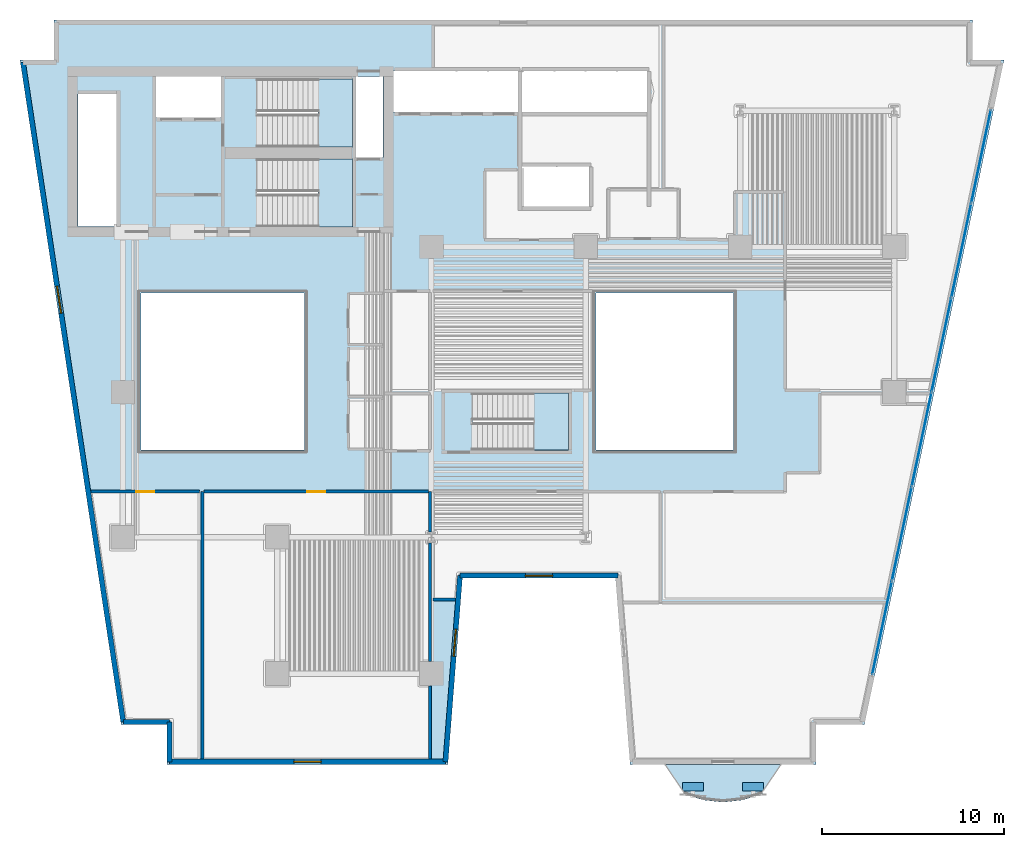
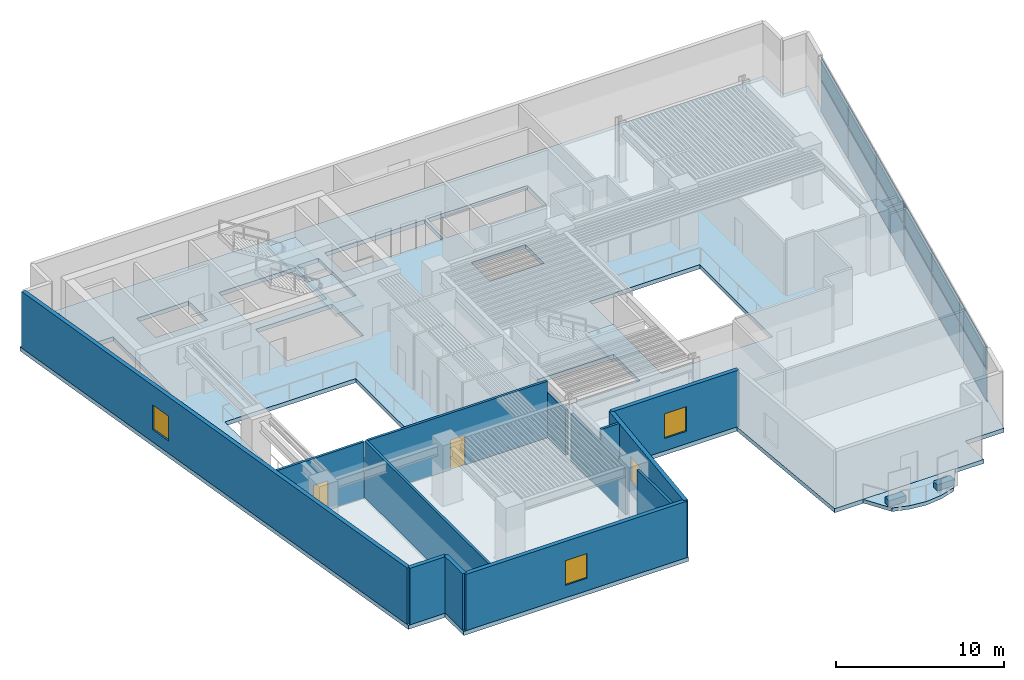
# One storey, part 3 of 11: 14 plates, 13 walls, 5 slabs, 4 windows, 2 doors, 6 openings, 4 elements without a shape of their own.
"""IFC4 building model written with IfcOpenShell, lengths in metres."""

from ifc_helpers import new_model, si_unit, direction, frame, frame_2d, origin, origin_2d, place, context, subcontext, project, spatial, polyline, rectangle, outline, extrude, material, layer, layer_set, type_object, element, fill, aggregate, save


model = new_model("IFC4")

# Units and contexts
model_context = context("Model", 3, precision=1e-05, world=origin(), true_north=direction((0.0, 1.0)))
body_context = subcontext(model_context, "Body", "Model", "MODEL_VIEW")
ifc_project = project(units=[si_unit("LENGTHUNIT", "METRE"), si_unit("AREAUNIT", "SQUARE_METRE"), si_unit("VOLUMEUNIT", "CUBIC_METRE"), si_unit("PLANEANGLEUNIT", "RADIAN"), si_unit("MASSUNIT", "GRAM", prefix="KILO")], contexts=[model_context])

# Site, building, storey
site_placement = place(None, origin())
site = spatial("IfcSite", under=ifc_project, at=site_placement, CompositionType="ELEMENT")
building_placement = place(site_placement, origin())
building = spatial("IfcBuilding", under=site, at=building_placement, Name="Caeloran Harvest Quay", CompositionType="ELEMENT")
storey_placement = place(building_placement, frame((0.0, 0.0, 49.0)))
storey = spatial("IfcBuildingStorey", under=building, at=storey_placement, Name="L11", CompositionType="ELEMENT", Elevation=49.0)

# Slab
ifc_material_1 = material(Name="Concrete C50/60", Category="concrete")
ifc_layer_1 = layer(ifc_material_1, 0.260009765625, Name="Concrete C50/60")
ifc_layer_set_1 = layer_set([ifc_layer_1], Name="Concrete C50/60")
slab_type_1 = type_object("IfcSlabType", Name="BALCONY-BL-260", PredefinedType="FLOOR", material=ifc_layer_set_1)
slab_1_placement = place(storey_placement, frame((0.0, 0.0, -0.260009765625)))
element("IfcSlab", 1, at=slab_1_placement, inside=storey, type_object=slab_type_1, Name="L11 Scalloped Cantilevered Planted Balcony Slab", PredefinedType="FLOOR", context=body_context, shape_type="SweptSolid", body=[
    extrude(outline(polyline([(43.686767578125, 0.849609375), (42.622802734375, 0.527099609375), (41.55859375, 0.408935546875), (40.494384765625, 0.527099609375), (39.43017578125, 0.849609375), (38.378662109375, 2.5), (44.73828125, 2.5), (43.686767578125, 0.849609375)])), origin(), (0.0, 0.0, 1.0), 0.260009765625),
])

# Curtain wall, plates
ifc_material_2 = material(Name="Aluminium 6063-T6 and Low-E Glazing", Category="aluminium")
ifc_layer_2 = layer(ifc_material_2, 0.199951171875, Name="Aluminium 6063-T6 and Low-E Glazing")
ifc_layer_set_2 = layer_set([ifc_layer_2], Name="Aluminium 6063-T6 and Low-E Glazing")
curtain_wall_type = type_object("IfcCurtainWallType", Name="CW-SYS-CW-2", PredefinedType="USERDEFINED", material=ifc_layer_set_2)
curtain_wall_placement = place(storey_placement, origin())
curtain_wall = element("IfcCurtainWall", 2, at=curtain_wall_placement, inside=storey, type_object=curtain_wall_type, Name="L11 Unitised Curtain Wall CW-2 Run 9", ObjectType="CURTAIN_WALL", PredefinedType="USERDEFINED")
ifc_material_3 = material(Name="Low-E Double Glazed Vision Glass Unit", Category="glass")
ifc_layer_3 = layer(ifc_material_3, 0.035888671875, Name="Low-E Double Glazed Vision Glass Unit")
ifc_layer_set_3 = layer_set([ifc_layer_3], Name="Low-E Double Glazed Vision Glass Unit")
plate_type_1 = type_object("IfcPlateType", Name="CW-VISION-PANEL", PredefinedType="CURTAIN_PANEL", material=ifc_layer_set_3)
plate_1_placement = place(storey_placement, frame((55.780029296875, 35.993408203125, 0.080078125), z_axis=(0.0, 0.0, 1.0), x_axis=(-0.205582960081, -0.978639691881, 0.0)))
plate_1 = element("IfcPlate", 3, at=plate_1_placement, type_object=plate_type_1, Name="CW-2 panel 1.1", PredefinedType="CURTAIN_PANEL", context=body_context, shape_type="SweptSolid", body=[
    extrude(rectangle(XDim=5.19873046875, YDim=0.035888671875, at=origin_2d()), origin(), (0.0, 0.0, 1.0), 2.280029296875),
])
plate_2_placement = place(storey_placement, frame((55.780029296875, 35.993408203125, 2.43994140625), z_axis=(0.0, 0.0, 1.0), x_axis=(-0.205582960081, -0.978639691881, 0.0)))
plate_2 = element("IfcPlate", 4, at=plate_2_placement, type_object=plate_type_1, Name="CW-2 panel 1.2", PredefinedType="CURTAIN_PANEL", context=body_context, shape_type="SweptSolid", body=[
    extrude(rectangle(XDim=5.19873046875, YDim=0.035888671875, at=origin_2d()), origin(), (0.0, 0.0, 1.0), 1.580078125),
])
plate_3_placement = place(storey_placement, frame((54.690673828125, 30.807861328125, 0.080078125), z_axis=(0.0, 0.0, 1.0), x_axis=(-0.205582960081, -0.978639691881, 0.0)))
plate_3 = element("IfcPlate", 5, at=plate_3_placement, type_object=plate_type_1, Name="CW-2 panel 2.1", PredefinedType="CURTAIN_PANEL", context=body_context, shape_type="SweptSolid", body=[
    extrude(rectangle(XDim=5.23876953125, YDim=0.035888671875, at=origin_2d()), origin(), (0.0, 0.0, 1.0), 2.280029296875),
])
plate_4_placement = place(storey_placement, frame((54.690673828125, 30.807861328125, 2.43994140625), z_axis=(0.0, 0.0, 1.0), x_axis=(-0.205582960081, -0.978639691881, 0.0)))
plate_4 = element("IfcPlate", 6, at=plate_4_placement, type_object=plate_type_1, Name="CW-2 panel 2.2", PredefinedType="CURTAIN_PANEL", context=body_context, shape_type="SweptSolid", body=[
    extrude(rectangle(XDim=5.23876953125, YDim=0.035888671875, at=origin_2d()), origin(), (0.0, 0.0, 1.0), 1.580078125),
])
plate_5_placement = place(storey_placement, frame((53.59716796875, 25.6025390625, 0.080078125), z_axis=(0.0, 0.0, 1.0), x_axis=(-0.205582960081, -0.978639691881, 0.0)))
plate_5 = element("IfcPlate", 7, at=plate_5_placement, type_object=plate_type_1, Name="CW-2 panel 3.1", PredefinedType="CURTAIN_PANEL", context=body_context, shape_type="SweptSolid", body=[
    extrude(rectangle(XDim=5.23876953125, YDim=0.035888671875, at=origin_2d()), origin(), (0.0, 0.0, 1.0), 2.280029296875),
])
plate_6_placement = place(storey_placement, frame((53.59716796875, 25.6025390625, 2.43994140625), z_axis=(0.0, 0.0, 1.0), x_axis=(-0.205582960081, -0.978639691881, 0.0)))
plate_6 = element("IfcPlate", 8, at=plate_6_placement, type_object=plate_type_1, Name="CW-2 panel 3.2", PredefinedType="CURTAIN_PANEL", context=body_context, shape_type="SweptSolid", body=[
    extrude(rectangle(XDim=5.23876953125, YDim=0.035888671875, at=origin_2d()), origin(), (0.0, 0.0, 1.0), 1.580078125),
])
plate_7_placement = place(storey_placement, frame((52.503662109375, 20.3974609375, 0.080078125), z_axis=(0.0, 0.0, 1.0), x_axis=(-0.205582960081, -0.978639691881, 0.0)))
plate_7 = element("IfcPlate", 9, at=plate_7_placement, type_object=plate_type_1, Name="CW-2 panel 4.1", PredefinedType="CURTAIN_PANEL", context=body_context, shape_type="SweptSolid", body=[
    extrude(rectangle(XDim=5.23876953125, YDim=0.035888671875, at=origin_2d()), origin(), (0.0, 0.0, 1.0), 2.280029296875),
])
plate_8_placement = place(storey_placement, frame((52.503662109375, 20.3974609375, 2.43994140625), z_axis=(0.0, 0.0, 1.0), x_axis=(-0.205582960081, -0.978639691881, 0.0)))
plate_8 = element("IfcPlate", 10, at=plate_8_placement, type_object=plate_type_1, Name="CW-2 panel 4.2", PredefinedType="CURTAIN_PANEL", context=body_context, shape_type="SweptSolid", body=[
    extrude(rectangle(XDim=5.23876953125, YDim=0.035888671875, at=origin_2d()), origin(), (0.0, 0.0, 1.0), 1.580078125),
])
plate_9_placement = place(storey_placement, frame((51.41015625, 15.192138671875, 0.080078125), z_axis=(0.0, 0.0, 1.0), x_axis=(-0.205582960081, -0.978639691881, 0.0)))
plate_9 = element("IfcPlate", 11, at=plate_9_placement, type_object=plate_type_1, Name="CW-2 panel 5.1", PredefinedType="CURTAIN_PANEL", context=body_context, shape_type="SweptSolid", body=[
    extrude(rectangle(XDim=5.23876953125, YDim=0.035888671875, at=origin_2d()), origin(), (0.0, 0.0, 1.0), 2.280029296875),
])
plate_10_placement = place(storey_placement, frame((51.41015625, 15.192138671875, 2.43994140625), z_axis=(0.0, 0.0, 1.0), x_axis=(-0.205582960081, -0.978639691881, 0.0)))
plate_10 = element("IfcPlate", 12, at=plate_10_placement, type_object=plate_type_1, Name="CW-2 panel 5.2", PredefinedType="CURTAIN_PANEL", context=body_context, shape_type="SweptSolid", body=[
    extrude(rectangle(XDim=5.23876953125, YDim=0.035888671875, at=origin_2d()), origin(), (0.0, 0.0, 1.0), 1.580078125),
])
plate_11_placement = place(storey_placement, frame((50.321044921875, 10.006591796875, 0.080078125), z_axis=(0.0, 0.0, 1.0), x_axis=(-0.205582960081, -0.978639691881, 0.0)))
plate_11 = element("IfcPlate", 13, at=plate_11_placement, type_object=plate_type_1, Name="CW-2 panel 6.1", PredefinedType="CURTAIN_PANEL", context=body_context, shape_type="SweptSolid", body=[
    extrude(rectangle(XDim=5.19873046875, YDim=0.035888671875, at=origin_2d()), origin(), (0.0, 0.0, 1.0), 2.280029296875),
])
plate_12_placement = place(storey_placement, frame((50.321044921875, 10.006591796875, 2.43994140625), z_axis=(0.0, 0.0, 1.0), x_axis=(-0.205582960081, -0.978639691881, 0.0)))
plate_12 = element("IfcPlate", 14, at=plate_12_placement, type_object=plate_type_1, Name="CW-2 panel 6.2", PredefinedType="CURTAIN_PANEL", context=body_context, shape_type="SweptSolid", body=[
    extrude(rectangle(XDim=5.19873046875, YDim=0.035888671875, at=origin_2d()), origin(), (0.0, 0.0, 1.0), 1.580078125),
])
aggregate(curtain_wall, [plate_1, plate_2, plate_3, plate_4, plate_5, plate_6, plate_7, plate_8, plate_9, plate_10, plate_11, plate_12])

# Plates
ifc_material_4 = material(Name="Precast concrete C50/60", Category="concrete")
ifc_layer_4 = layer(ifc_material_4, 0.449951171875, Name="Precast concrete C50/60")
ifc_layer_set_4 = layer_set([ifc_layer_4], Name="Precast concrete C50/60")
plate_type_2 = type_object("IfcPlateType", Name="PLANTER-TROUGH-450", PredefinedType="USERDEFINED", material=ifc_layer_set_4)
for number, where, z_axis, x_axis, name in (
    (15, (43.218505859375, 1.2568359375, 0.0), (0.0, 0.0, 1.0), (1.0, 0.0, 0.0), "L11 Balcony Vertical-Greenery Precast PLANTER Trough 1"),
    (16, (39.8984375, 1.2568359375, 0.0), (0.0, 0.0, 1.0), (1.0, 0.0, 0.0), "L11 Balcony Vertical-Greenery Precast PLANTER Trough 2"),
):
    element("IfcPlate", number, at=place(storey_placement, frame(where, z_axis=z_axis, x_axis=x_axis)), inside=storey, type_object=plate_type_2, Name=name, ObjectType="PLANTER", PredefinedType="USERDEFINED", context=body_context, shape_type="SweptSolid", body=[
        extrude(rectangle(XDim=1.14990234375, YDim=0.47998046875, at=origin_2d()), origin(), (0.0, 0.0, 1.0), 0.449951171875),
    ])

# Slab
ifc_layer_5 = layer(ifc_material_1, 0.300048828125, Name="Concrete C50/60")
ifc_layer_set_5 = layer_set([ifc_layer_5], Name="Concrete C50/60")
slab_type_2 = type_object("IfcSlabType", Name="SLAB-FS-300", PredefinedType="FLOOR", material=ifc_layer_set_5)
slab_2_placement = place(storey_placement, frame((0.0, 0.0, -0.300048828125)))
element("IfcSlab", 17, at=slab_2_placement, inside=storey, type_object=slab_type_2, Name="L11 Structural Floor Slab", PredefinedType="FLOOR", context=body_context, shape_type="SweptSolid", body=[
    extrude(outline(polyline([(10.93701171875, 2.5), (26.403076171875, 2.5), (27.202880859375, 12.75), (35.640380859375, 12.75), (36.4404296875, 2.5), (46.68701171875, 2.5), (46.68701171875, 4.699951171875), (49.34912109375, 4.699951171875), (57.037841796875, 41.300048828125), (55.300048828125, 41.300048828125), (55.300048828125, 43.5), (4.699951171875, 43.5), (4.699951171875, 41.300048828125), (2.834716796875, 41.300048828125), (8.40234375, 4.699951171875), (10.93701171875, 4.699951171875), (10.93701171875, 2.5)]), holes=[polyline([(18.5, 19.800048828125), (9.5, 19.800048828125), (9.5, 28.449951171875), (18.5, 28.449951171875), (18.5, 19.800048828125)]), polyline([(15.89990234375, 32.10009765625), (15.89990234375, 35.85009765625), (21.14990234375, 35.85009765625), (21.14990234375, 32.10009765625), (15.89990234375, 32.10009765625)]), polyline([(8.159912109375, 32.1201171875), (6.02001953125, 32.1201171875), (6.02001953125, 39.419921875), (8.159912109375, 39.419921875), (8.159912109375, 32.1201171875)]), polyline([(21.35009765625, 35.919921875), (21.35009765625, 40.3798828125), (22.830078125, 40.3798828125), (22.830078125, 35.919921875), (21.35009765625, 35.919921875)]), polyline([(15.89990234375, 40.25), (21.14990234375, 40.25), (21.14990234375, 36.5), (15.89990234375, 36.5), (15.89990234375, 40.25)]), polyline([(13.89990234375, 38.1201171875), (10.320068359375, 38.1201171875), (10.320068359375, 40.3798828125), (13.89990234375, 40.3798828125), (13.89990234375, 38.1201171875)]), polyline([(27.75, 22.949951171875), (33.050048828125, 22.949951171875), (33.050048828125, 19.800048828125), (27.75, 19.800048828125), (27.75, 22.949951171875)]), polyline([(34.550048828125, 19.800048828125), (34.550048828125, 28.449951171875), (42.14990234375, 28.449951171875), (42.14990234375, 19.800048828125), (34.550048828125, 19.800048828125)]), polyline([(34.199951171875, 33.219970703125), (30.47998046875, 33.219970703125), (30.47998046875, 35.429931640625), (34.199951171875, 35.429931640625), (34.199951171875, 33.219970703125)]), polyline([(23.419921875, 38.419921875), (23.419921875, 40.679931640625), (30.280029296875, 40.679931640625), (30.280029296875, 38.419921875), (23.419921875, 38.419921875)]), polyline([(30.47998046875, 38.419921875), (30.47998046875, 40.679931640625), (37.3798828125, 40.679931640625), (37.3798828125, 38.419921875), (30.47998046875, 38.419921875)])]), origin(), (0.0, 0.0, 1.0), 0.300048828125),
])

# Stair, slab
stair_type_1 = type_object("IfcStairType", Name="STAIR-STC-180", PredefinedType="HALF_TURN_STAIR", material=ifc_material_1)
stair_1_placement = place(storey_placement, origin())
stair_1 = element("IfcStair", 18, at=stair_1_placement, inside=storey, type_object=stair_type_1, Name="L11 Core Pressurized Exit Stair ST-C1", PredefinedType="HALF_TURN_STAIR")
ifc_layer_6 = layer(ifc_material_1, 0.219970703125, Name="Concrete C50/60")
ifc_layer_set_6 = layer_set([ifc_layer_6], Name="Concrete C50/60")
slab_type_3 = type_object("IfcSlabType", Name="STAIR-LANDING-220", PredefinedType="LANDING", material=ifc_layer_set_6)
slab_3_placement = place(storey_placement, frame((0.0, 0.0, 2.0)))
slab_3 = element("IfcSlab", 19, at=slab_3_placement, type_object=slab_type_3, Name="ST-C1 landing 1", PredefinedType="LANDING", context=body_context, shape_type="SweptSolid", body=[
    extrude(outline(polyline([(19.260009765625, 36.5), (21.14990234375, 36.5), (21.14990234375, 40.25), (19.260009765625, 40.25), (19.260009765625, 36.5)])), origin(), (0.0, 0.0, 1.0), 0.199951171875),
])
aggregate(stair_1, [slab_3])

stair_2_placement = place(storey_placement, origin())
stair_2 = element("IfcStair", 20, at=stair_2_placement, inside=storey, type_object=stair_type_1, Name="L11 Core Pressurized Exit Stair ST-C2", PredefinedType="HALF_TURN_STAIR")
slab_4_placement = place(storey_placement, frame((0.0, 0.0, 2.0)))
slab_4 = element("IfcSlab", 21, at=slab_4_placement, type_object=slab_type_3, Name="ST-C2 landing 1", PredefinedType="LANDING", context=body_context, shape_type="SweptSolid", body=[
    extrude(outline(polyline([(19.260009765625, 32.10009765625), (21.14990234375, 32.10009765625), (21.14990234375, 35.85009765625), (19.260009765625, 35.85009765625), (19.260009765625, 32.10009765625)])), origin(), (0.0, 0.0, 1.0), 0.199951171875),
])
aggregate(stair_2, [slab_4])

stair_type_2 = type_object("IfcStairType", Name="STAIR-STW-150", PredefinedType="HALF_TURN_STAIR", material=ifc_material_1)
stair_3_placement = place(storey_placement, origin())
stair_3 = element("IfcStair", 22, at=stair_3_placement, inside=storey, type_object=stair_type_2, Name="L11 East Wing Protected Exit Stair ST-W1", PredefinedType="HALF_TURN_STAIR")
slab_5_placement = place(storey_placement, frame((0.0, 0.0, 2.0)))
slab_5 = element("IfcSlab", 23, at=slab_5_placement, type_object=slab_type_3, Name="ST-W1 landing 1", PredefinedType="LANDING", context=body_context, shape_type="SweptSolid", body=[
    extrude(outline(polyline([(31.110107421875, 19.800048828125), (33.050048828125, 19.800048828125), (33.050048828125, 22.949951171875), (31.110107421875, 22.949951171875), (31.110107421875, 19.800048828125)])), origin(), (0.0, 0.0, 1.0), 0.199951171875),
])
aggregate(stair_3, [slab_5])

# Walls
ifc_layer_7 = layer(ifc_material_4, 0.280029296875, Name="Precast concrete C50/60")
ifc_layer_set_7 = layer_set([ifc_layer_7], Name="Precast concrete C50/60")
wall_type_1 = type_object("IfcWallType", Name="ENV-WALL-EW-280", PredefinedType="STANDARD", material=ifc_layer_set_7)
wall_1_placement = place(storey_placement, frame((11.076904296875, 2.639892578125, 0.0), z_axis=(0.0, 0.0, 1.0), x_axis=(0.0, 1.0, 0.0)))
element("IfcWall", 24, at=wall_1_placement, inside=storey, type_object=wall_type_1, Name="L11 Exterior Precast Concrete Facade Wall 1", PredefinedType="STANDARD", context=body_context, shape_type="SweptSolid", body=[
    extrude(rectangle(XDim=2.2001953125, YDim=0.280029296875, at=frame_2d((1.10009765625, 0.0))), origin(), (0.0, 0.0, 1.0), 4.10009765625),
])
wall_2_placement = place(storey_placement, frame((11.076904296875, 4.840087890625, 0.0), z_axis=(0.0, 0.0, 1.0), x_axis=(-1.0, 0.0, 0.0)))
element("IfcWall", 25, at=wall_2_placement, inside=storey, type_object=wall_type_1, Name="L11 Exterior Precast Concrete Facade Wall 2", PredefinedType="STANDARD", context=body_context, shape_type="SweptSolid", body=[
    extrude(rectangle(XDim=2.55419921875, YDim=0.280029296875, at=frame_2d((1.277099609375, 0.0))), origin(), (0.0, 0.0, 1.0), 4.10009765625),
])

# Wall, opening, window
wall_3_placement = place(storey_placement, frame((8.522705078125, 4.840087890625, 0.0), z_axis=(0.0, 0.0, 1.0), x_axis=(-0.150394554312, 0.988626055712, 0.0)))
wall_3 = element("IfcWall", 26, at=wall_3_placement, inside=storey, type_object=wall_type_1, Name="L11 Exterior Precast Concrete Facade Wall 3", PredefinedType="STANDARD", context=body_context, shape_type="SweptSolid", body=[
    extrude(rectangle(XDim=36.73779296875, YDim=0.280029296875, at=frame_2d((18.368896484375, 0.0))), origin(), (0.0, 0.0, 1.0), 4.10009765625),
])
opening_1_placement = place(wall_3_placement, frame((22.761962890625, 0.0, 0.89990234375)))
opening_1 = element("IfcOpeningElement", 27, at=opening_1_placement, cuts=wall_3, Name="Opening W-03", PredefinedType="OPENING", context=body_context, shape_type="SweptSolid", body=[
    extrude(rectangle(XDim=1.5, YDim=1.800048828125, at=frame_2d((0.75, 0.89990234375))), frame((0.0, 0.14990234375, 0.0), z_axis=(0.0, -1.0, 0.0), x_axis=(1.0, 0.0, 0.0)), (0.0, 0.0, 1.0), 0.300048828125),
])
ifc_material_5 = material(Name="Aluminium-Framed Low-E Laminated Glass", Category="aluminium")
window_type = type_object("IfcWindowType", Name="WIN-W-03", PartitioningType="SINGLE_PANEL", PredefinedType="WINDOW", material=ifc_material_5)
window_1_placement = place(opening_1_placement, origin())
window_1 = element("IfcWindow", 28, at=window_1_placement, inside=storey, type_object=window_type, Name="L11 Facade Punched Window W-03", OverallHeight=1.800048828125, OverallWidth=1.5, PartitioningType="SINGLE_PANEL", PredefinedType="WINDOW", context=body_context, shape_type="SweptSolid", body=[
    extrude(rectangle(XDim=1.5, YDim=1.800048828125, at=frame_2d((0.75, 0.89990234375))), frame((0.0, 0.030029296875, 0.0), z_axis=(0.0, -1.0, 0.0), x_axis=(1.0, 0.0, 0.0)), (0.0, 0.0, 1.0), 0.06005859375),
])
fill(opening_1, window_1)

wall_4_placement = place(storey_placement, frame((35.77001953125, 12.889892578125, 0.0), z_axis=(0.0, 0.0, 1.0), x_axis=(-1.0, 0.0, 0.0)))
wall_4 = element("IfcWall", 29, at=wall_4_placement, inside=storey, type_object=wall_type_1, Name="L11 Exterior Precast Concrete Facade Wall 14", PredefinedType="STANDARD", context=body_context, shape_type="SweptSolid", body=[
    extrude(rectangle(XDim=8.696533203125, YDim=0.280029296875, at=frame_2d((4.34814453125, 0.0))), origin(), (0.0, 0.0, 1.0), 4.10009765625),
])
opening_2_placement = place(wall_4_placement, frame((3.597900390625, 0.0, 0.89990234375)))
opening_2 = element("IfcOpeningElement", 30, at=opening_2_placement, cuts=wall_4, Name="Opening W-03", PredefinedType="OPENING", context=body_context, shape_type="SweptSolid", body=[
    extrude(rectangle(XDim=1.5, YDim=1.800048828125, at=frame_2d((0.75, 0.89990234375))), frame((0.0, 0.14990234375, 0.0), z_axis=(0.0, -1.0, 0.0), x_axis=(1.0, 0.0, 0.0)), (0.0, 0.0, 1.0), 0.300048828125),
])
window_2_placement = place(opening_2_placement, origin())
window_2 = element("IfcWindow", 31, at=window_2_placement, inside=storey, type_object=window_type, Name="L11 Facade Punched Window W-03", OverallHeight=1.800048828125, OverallWidth=1.5, PartitioningType="SINGLE_PANEL", PredefinedType="WINDOW", context=body_context, shape_type="SweptSolid", body=[
    extrude(rectangle(XDim=1.5, YDim=1.800048828125, at=frame_2d((0.75, 0.89990234375))), frame((0.0, 0.030029296875, 0.0), z_axis=(0.0, -1.0, 0.0), x_axis=(1.0, 0.0, 0.0)), (0.0, 0.0, 1.0), 0.06005859375),
])
fill(opening_2, window_2)

wall_5_placement = place(storey_placement, frame((27.073486328125, 12.889892578125, 0.0), z_axis=(0.0, 0.0, 1.0), x_axis=(-0.077816860153, -0.996967670627, 0.0)))
wall_5 = element("IfcWall", 32, at=wall_5_placement, inside=storey, type_object=wall_type_1, Name="L11 Exterior Precast Concrete Facade Wall 15", PredefinedType="STANDARD", context=body_context, shape_type="SweptSolid", body=[
    extrude(rectangle(XDim=10.28125, YDim=0.280029296875, at=frame_2d((5.140625, 0.0))), origin(), (0.0, 0.0, 1.0), 4.10009765625),
])
opening_3_placement = place(wall_5_placement, frame((2.950927734375, 0.0, 0.89990234375)))
opening_3 = element("IfcOpeningElement", 33, at=opening_3_placement, cuts=wall_5, Name="Opening W-03", PredefinedType="OPENING", context=body_context, shape_type="SweptSolid", body=[
    extrude(rectangle(XDim=1.5, YDim=1.800048828125, at=frame_2d((0.75, 0.89990234375))), frame((0.0, 0.14990234375, 0.0), z_axis=(0.0, -1.0, 0.0), x_axis=(1.0, 0.0, 0.0)), (0.0, 0.0, 1.0), 0.300048828125),
])
window_3_placement = place(opening_3_placement, origin())
window_3 = element("IfcWindow", 34, at=window_3_placement, inside=storey, type_object=window_type, Name="L11 Facade Punched Window W-03", OverallHeight=1.800048828125, OverallWidth=1.5, PartitioningType="SINGLE_PANEL", PredefinedType="WINDOW", context=body_context, shape_type="SweptSolid", body=[
    extrude(rectangle(XDim=1.5, YDim=1.800048828125, at=frame_2d((0.75, 0.89990234375))), frame((0.0, 0.030029296875, 0.0), z_axis=(0.0, -1.0, 0.0), x_axis=(1.0, 0.0, 0.0)), (0.0, 0.0, 1.0), 0.06005859375),
])
fill(opening_3, window_3)

wall_6_placement = place(storey_placement, frame((26.2734375, 2.639892578125, 0.0), z_axis=(0.0, 0.0, 1.0), x_axis=(-1.0, 0.0, 0.0)))
wall_6 = element("IfcWall", 35, at=wall_6_placement, inside=storey, type_object=wall_type_1, Name="L11 Exterior Precast Concrete Facade Wall 16", PredefinedType="STANDARD", context=body_context, shape_type="SweptSolid", body=[
    extrude(rectangle(XDim=15.196533203125, YDim=0.280029296875, at=frame_2d((7.59814453125, 0.0))), origin(), (0.0, 0.0, 1.0), 4.10009765625),
])
opening_4_placement = place(wall_6_placement, frame((6.847900390625, 0.0, 0.89990234375)))
opening_4 = element("IfcOpeningElement", 36, at=opening_4_placement, cuts=wall_6, Name="Opening W-03", PredefinedType="OPENING", context=body_context, shape_type="SweptSolid", body=[
    extrude(rectangle(XDim=1.5, YDim=1.800048828125, at=frame_2d((0.75, 0.89990234375))), frame((0.0, 0.14990234375, 0.0), z_axis=(0.0, -1.0, 0.0), x_axis=(1.0, 0.0, 0.0)), (0.0, 0.0, 1.0), 0.300048828125),
])
window_4_placement = place(opening_4_placement, origin())
window_4 = element("IfcWindow", 37, at=window_4_placement, inside=storey, type_object=window_type, Name="L11 Facade Punched Window W-03", OverallHeight=1.800048828125, OverallWidth=1.5, PartitioningType="SINGLE_PANEL", PredefinedType="WINDOW", context=body_context, shape_type="SweptSolid", body=[
    extrude(rectangle(XDim=1.5, YDim=1.800048828125, at=frame_2d((0.75, 0.89990234375))), frame((0.0, 0.030029296875, 0.0), z_axis=(0.0, -1.0, 0.0), x_axis=(1.0, 0.0, 0.0)), (0.0, 0.0, 1.0), 0.06005859375),
])
fill(opening_4, window_4)

# Walls
ifc_material_6 = material(Name="Autoclaved Aerated Concrete Blockwork", Category="masonry")
ifc_layer_8 = layer(ifc_material_6, 0.1650390625, Name="Autoclaved Aerated Concrete Blockwork")
ifc_layer_set_8 = layer_set([ifc_layer_8], Name="Autoclaved Aerated Concrete Blockwork")
wall_type_2 = type_object("IfcWallType", Name="INT-WALL-PW-165", PredefinedType="PARTITIONING", material=ifc_layer_set_8)
wall_7_placement = place(storey_placement, frame((25.419921875, 17.52001953125, 0.0), z_axis=(0.0, 0.0, 1.0), x_axis=(0.0, -1.0, 0.0)))
element("IfcWall", 38, at=wall_7_placement, inside=storey, type_object=wall_type_2, Name="Saffron and Herb Vertical Growing Room Partition Wall", PredefinedType="PARTITIONING", context=body_context, shape_type="SweptSolid", body=[
    extrude(rectangle(XDim=2.21044921875, YDim=0.1650390625, at=frame_2d((1.105224609375, 0.0))), origin(), (0.0, 0.0, 1.0), 3.284912109375),
])
wall_8_placement = place(storey_placement, frame((25.419921875, 14.6904296875, 0.0), z_axis=(0.0, 0.0, 1.0), x_axis=(0.0, -1.0, 0.0)))
element("IfcWall", 39, at=wall_8_placement, inside=storey, type_object=wall_type_2, Name="Saffron and Herb Vertical Growing Room Partition Wall", PredefinedType="PARTITIONING", context=body_context, shape_type="SweptSolid", body=[
    extrude(rectangle(XDim=6.515380859375, YDim=0.1650390625, at=frame_2d((3.2578125, 0.0))), origin(), (0.0, 0.0, 1.0), 3.385009765625),
])
wall_9_placement = place(storey_placement, frame((25.419921875, 6.824951171875, 0.0), z_axis=(0.0, 0.0, 1.0), x_axis=(0.0, -1.0, 0.0)))
element("IfcWall", 40, at=wall_9_placement, inside=storey, type_object=wall_type_2, Name="Saffron and Herb Vertical Growing Room Partition Wall", PredefinedType="PARTITIONING", context=body_context, shape_type="SweptSolid", body=[
    extrude(rectangle(XDim=4.0400390625, YDim=0.1650390625, at=frame_2d((2.02001953125, 0.0))), origin(), (0.0, 0.0, 1.0), 4.10009765625),
])
wall_10_placement = place(storey_placement, frame((12.8798828125, 2.784912109375, 0.0), z_axis=(0.0, 0.0, 1.0), x_axis=(0.0, 1.0, 0.0)))
element("IfcWall", 41, at=wall_10_placement, inside=storey, type_object=wall_type_2, Name="Saffron and Herb Vertical Growing Room Partition Wall", PredefinedType="PARTITIONING", context=body_context, shape_type="SweptSolid", body=[
    extrude(rectangle(XDim=14.735107421875, YDim=0.1650390625, at=frame_2d((7.36767578125, 0.0))), origin(), (0.0, 0.0, 1.0), 4.10009765625),
])

# Wall, opening, door
wall_11_placement = place(storey_placement, frame((12.967529296875, 17.52001953125, 0.0), z_axis=(0.0, 0.0, 1.0), x_axis=(1.0, 0.0, 0.0)))
wall_11 = element("IfcWall", 42, at=wall_11_placement, inside=storey, type_object=wall_type_2, Name="Saffron and Herb Vertical Growing Room Partition Wall", PredefinedType="PARTITIONING", context=body_context, shape_type="SweptSolid", body=[
    extrude(rectangle(XDim=12.364990234375, YDim=0.1650390625, at=frame_2d((6.1826171875, 0.0))), origin(), (0.0, 0.0, 1.0), 4.10009765625),
])
opening_5_placement = place(wall_11_placement, frame((5.6826171875, 0.0, 0.0)))
opening_5 = element("IfcOpeningElement", 43, at=opening_5_placement, cuts=wall_11, Name="Opening ID-01", PredefinedType="OPENING", context=body_context, shape_type="SweptSolid", body=[
    extrude(rectangle(XDim=1.0, YDim=2.14990234375, at=frame_2d((0.5, 1.074951171875))), frame((0.0, 0.092529296875, 0.0), z_axis=(0.0, -1.0, 0.0), x_axis=(1.0, 0.0, 0.0)), (0.0, 0.0, 1.0), 0.18505859375),
])
ifc_material_7 = material(Name="FSC Solid-Core Ash Timber and Acoustic Seal", Category="wood")
door_type = type_object("IfcDoorType", Name="INTDOOR-ID-01", OperationType="NOTDEFINED", PredefinedType="DOOR", material=ifc_material_7)
door_1_placement = place(opening_5_placement, origin())
door_1 = element("IfcDoor", 44, at=door_1_placement, inside=storey, type_object=door_type, Name="Saffron and Herb Vertical Growing Room Access Door", OperationType="SINGLE_SWING_LEFT", OverallHeight=2.14990234375, OverallWidth=1.0, PredefinedType="DOOR", context=body_context, shape_type="SweptSolid", body=[
    extrude(rectangle(XDim=1.0, YDim=2.14990234375, at=frame_2d((0.5, 1.074951171875))), frame((0.0, 0.02490234375, 0.0), z_axis=(0.0, -1.0, 0.0), x_axis=(1.0, 0.0, 0.0)), (0.0, 0.0, 1.0), 0.050048828125),
])
fill(opening_5, door_1)

# Wall
wall_12_placement = place(storey_placement, frame((26.82568359375, 11.580078125, 0.0), z_axis=(0.0, 0.0, 1.0), x_axis=(-1.0, 0.0, 0.0)))
element("IfcWall", 45, at=wall_12_placement, inside=storey, type_object=wall_type_2, Name="Microgreens LED Rack Chamber Partition Wall", PredefinedType="PARTITIONING", context=body_context, shape_type="SweptSolid", body=[
    extrude(rectangle(XDim=1.24560546875, YDim=0.1650390625, at=frame_2d((0.622802734375, 0.0))), origin(), (0.0, 0.0, 1.0), 4.10009765625),
])

# Wall, opening, door
wall_13_placement = place(storey_placement, frame((6.740478515625, 17.52001953125, 0.0), z_axis=(0.0, 0.0, 1.0), x_axis=(1.0, 0.0, 0.0)))
wall_13 = element("IfcWall", 46, at=wall_13_placement, inside=storey, type_object=wall_type_2, Name="Pollination Entomology Laboratory Partition Wall", PredefinedType="PARTITIONING", context=body_context, shape_type="SweptSolid", body=[
    extrude(rectangle(XDim=5.9794921875, YDim=0.1650390625, at=frame_2d((2.98974609375, 0.0))), origin(), (0.0, 0.0, 1.0), 4.10009765625),
])
opening_6_placement = place(wall_13_placement, frame((2.48974609375, 0.0, 0.0)))
opening_6 = element("IfcOpeningElement", 47, at=opening_6_placement, cuts=wall_13, Name="Opening ID-01", PredefinedType="OPENING", context=body_context, shape_type="SweptSolid", body=[
    extrude(rectangle(XDim=1.0, YDim=2.14990234375, at=frame_2d((0.5, 1.074951171875))), frame((0.0, 0.092529296875, 0.0), z_axis=(0.0, -1.0, 0.0), x_axis=(1.0, 0.0, 0.0)), (0.0, 0.0, 1.0), 0.18505859375),
])
door_2_placement = place(opening_6_placement, origin())
door_2 = element("IfcDoor", 48, at=door_2_placement, inside=storey, type_object=door_type, Name="Pollination Entomology Laboratory Access Door", OperationType="SINGLE_SWING_LEFT", OverallHeight=2.14990234375, OverallWidth=1.0, PredefinedType="DOOR", context=body_context, shape_type="SweptSolid", body=[
    extrude(rectangle(XDim=1.0, YDim=2.14990234375, at=frame_2d((0.5, 1.074951171875))), frame((0.0, 0.02490234375, 0.0), z_axis=(0.0, -1.0, 0.0), x_axis=(1.0, 0.0, 0.0)), (0.0, 0.0, 1.0), 0.050048828125),
])
fill(opening_6, door_2)

save(model, "model.ifc")
